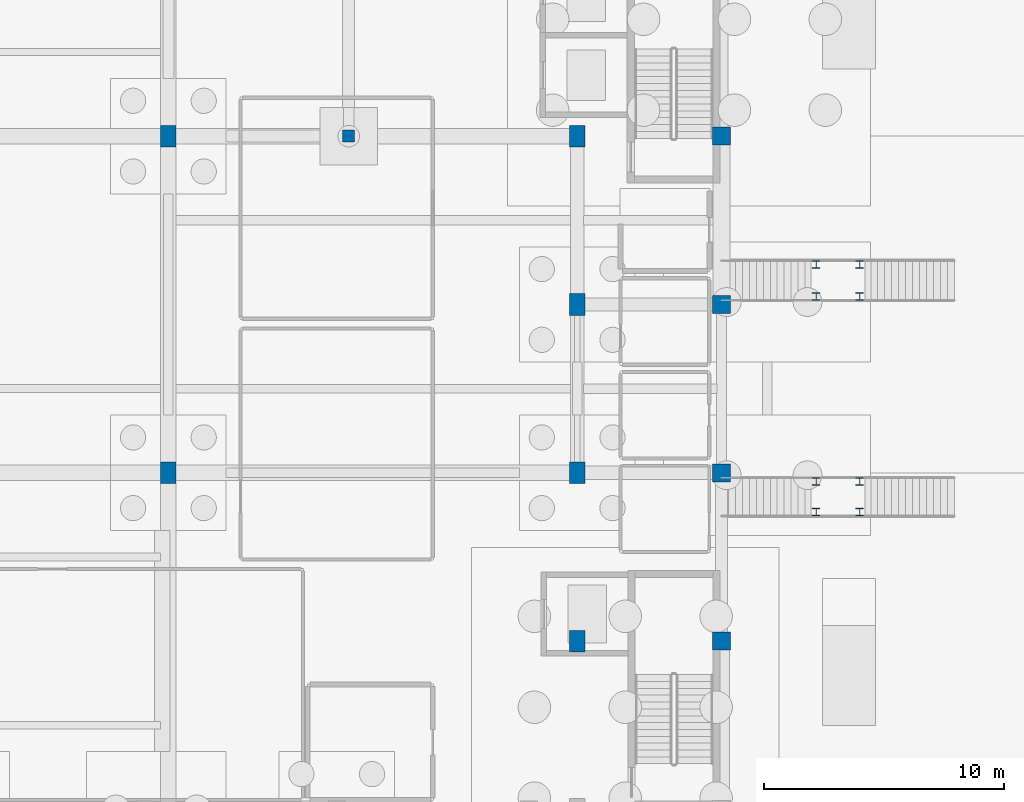
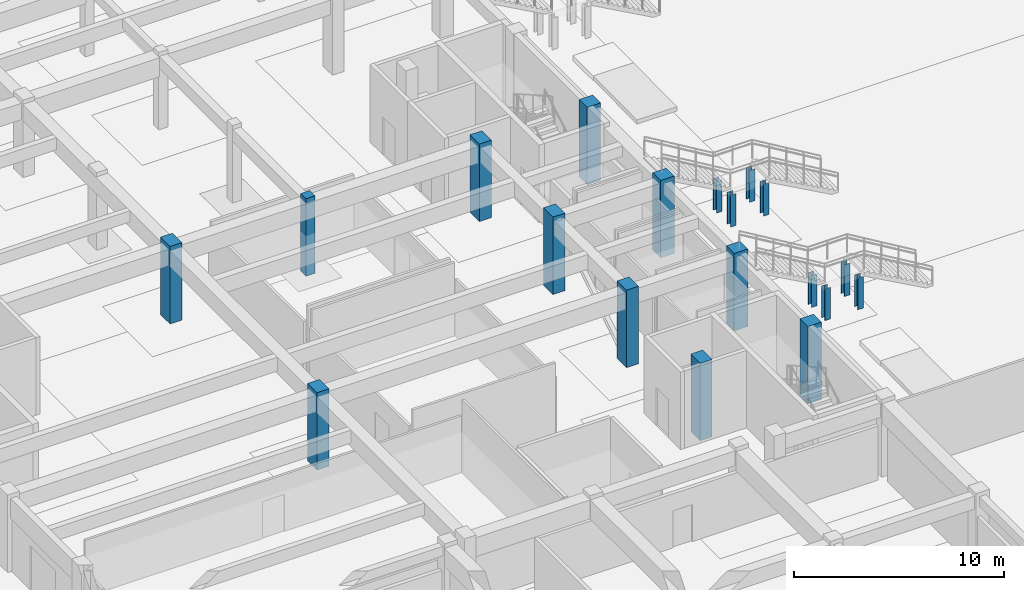
# One storey, part 16 of 84: 19 columns.
"""IFC4 building model written with IfcOpenShell, lengths in metres."""

import ifcopenshell
import ifcopenshell.guid

model = None  # the IFC model being written
_history = None  # IfcOwnerHistory: only IFC2X3 demands one
_inside = {}  # id of a spatial element -> (the spatial element, [elements in it])
_under = {}  # id of a project, library or spatial element -> (it, [spatial elements below it])
_declared = {}  # id of a project -> (the project, [libraries it declares])
_typed = {}  # id of a type object -> (the type object, [elements of that type])
_made_of = {}  # id of a material, layer set ... -> (it, [elements and type objects made of it])


def new_model(schema):
    """Start an empty IFC model of exactly this schema.

    Asked for "IFC4X3", IfcOpenShell would pick the latest addendum, in which some entities
    have other attributes; the version numbers below select the first issue.
    IFC2X3 requires an IfcOwnerHistory on every rooted entity: one is made here for all.
    """
    global model, _history
    if schema == "IFC4X3":
        model = ifcopenshell.file(schema_version=(4, 3, 0, 0))
    else:
        model = ifcopenshell.file(schema=schema)
    _inside.clear()
    _under.clear()
    _declared.clear()
    _typed.clear()
    _made_of.clear()
    _history = None
    if model.schema == "IFC2X3":
        org = make("IfcOrganization", Name="unknown")
        user = make(
            "IfcPersonAndOrganization",
            ThePerson=make("IfcPerson", FamilyName="unknown"),
            TheOrganization=org,
        )
        app = make(
            "IfcApplication",
            ApplicationDeveloper=org,
            Version="unknown",
            ApplicationFullName="unknown",
            ApplicationIdentifier="unknown",
        )
        _history = make(
            "IfcOwnerHistory",
            OwningUser=user,
            OwningApplication=app,
            ChangeAction="ADDED",
            CreationDate=0,
        )
    return model


def make(cls, **values):
    """One entity of the class cls with the attributes given. An attribute that is None is left unset."""
    return model.create_entity(
        cls, **{name: value for name, value in values.items() if value is not None}
    )


def rooted(cls, **values):
    """An entity with a GlobalId (a new one), such as an element, a storey or a relation."""
    return make(cls, GlobalId=ifcopenshell.guid.new(), OwnerHistory=_history, **values)


def si_unit(unit_type, name, prefix=None):
    """IfcSIUnit, for example si_unit("LENGTHUNIT", "METRE", prefix="MILLI")."""
    return make("IfcSIUnit", UnitType=unit_type, Prefix=prefix, Name=name)


def assignment(units):
    """IfcUnitAssignment: the units of a project."""
    return None if units is None else make("IfcUnitAssignment", Units=units)


def point(xyz):
    """IfcCartesianPoint."""
    return None if xyz is None else make("IfcCartesianPoint", Coordinates=xyz)


def direction(xyz):
    """IfcDirection."""
    return None if xyz is None else make("IfcDirection", DirectionRatios=xyz)


def frame(location, z_axis=None, x_axis=None):
    """IfcAxis2Placement3D, a coordinate frame: its origin and axes. An axis left out is left unset."""
    return make(
        "IfcAxis2Placement3D",
        Location=point(location),
        Axis=direction(z_axis),
        RefDirection=direction(x_axis),
    )


def frame_2d(location, x_axis=None):
    """IfcAxis2Placement2D, a coordinate frame in the plane: its origin and x axis."""
    return make(
        "IfcAxis2Placement2D", Location=point(location), RefDirection=direction(x_axis)
    )


def origin():
    """The frame at (0, 0, 0) with its axes left unset."""
    return frame((0.0, 0.0, 0.0))


def origin_2d():
    """The frame at (0, 0) in the plane with its x axis left unset."""
    return frame_2d((0.0, 0.0))


def place(relative_to, where):
    """IfcLocalPlacement: puts the frame where relative to a parent placement (None: the world)."""
    return make(
        "IfcLocalPlacement", PlacementRelTo=relative_to, RelativePlacement=where
    )


def context(
    kind, dimensions, precision=None, world=None, true_north=None, identifier=None
):
    """IfcGeometricRepresentationContext, for example the 3D "Model" context."""
    return make(
        "IfcGeometricRepresentationContext",
        ContextIdentifier=identifier,
        ContextType=kind,
        CoordinateSpaceDimension=dimensions,
        Precision=precision,
        WorldCoordinateSystem=world,
        TrueNorth=true_north,
    )


def subcontext(parent, identifier, kind, view, scale=None):
    """IfcGeometricRepresentationSubContext, for example "Body" below "Model"."""
    return make(
        "IfcGeometricRepresentationSubContext",
        ContextIdentifier=identifier,
        ContextType=kind,
        ParentContext=parent,
        TargetScale=scale,
        TargetView=view,
    )


def project(units=None, contexts=None):
    """IfcProject with its units and contexts."""
    return rooted(
        "IfcProject",
        Name="project",
        RepresentationContexts=contexts,
        UnitsInContext=assignment(units),
    )


def spatial(cls, under=None, at=None, **own):
    """A site, building, storey or space (cls), placed at a placement, below another one or the project."""
    s = rooted(cls, ObjectPlacement=at, **own)
    if under is not None:
        _under.setdefault(under.id(), (under, []))[1].append(s)
    return s


def profile(cls, at=None, kind="AREA", **sizes):
    """A parametric profile (cls). Its sizes go by their IFC names, for example OverallWidth=200.0."""
    return make(cls, ProfileType=kind, Position=at, **sizes)


def rectangle(**sizes):
    """IfcRectangleProfileDef."""
    return profile("IfcRectangleProfileDef", **sizes)


def i_section(**sizes):
    """IfcIShapeProfileDef."""
    return profile("IfcIShapeProfileDef", **sizes)


def extrude(swept, where, along, depth):
    """IfcExtrudedAreaSolid: the profile swept, set in the frame where, extruded along a direction by depth."""
    return make(
        "IfcExtrudedAreaSolid",
        SweptArea=swept,
        Position=where,
        ExtrudedDirection=direction(along),
        Depth=depth,
    )


def shape(context_of_items, identifier, shape_type, items):
    """IfcShapeRepresentation: the items that make up one representation, for example the "Body"."""
    return make(
        "IfcShapeRepresentation",
        ContextOfItems=context_of_items,
        RepresentationIdentifier=identifier,
        RepresentationType=shape_type,
        Items=items,
    )


def material(Name=None, Category=None):
    """IfcMaterial."""
    return make("IfcMaterial", Name=Name, Category=Category)


def material_profile(
    of_material, cross_section, Name=None, Category=None, Priority=None
):
    """IfcMaterialProfile: a cross section and its material."""
    return make(
        "IfcMaterialProfile",
        Name=Name,
        Material=of_material,
        Profile=cross_section,
        Priority=Priority,
        Category=Category,
    )


def profile_set(profiles, Name=None, composite=None):
    """IfcMaterialProfileSet."""
    return make(
        "IfcMaterialProfileSet",
        Name=Name,
        MaterialProfiles=profiles,
        CompositeProfile=composite,
    )


def made_of(thing, what):
    """Note that an element or type object is made of a material, layer set ...; save() writes the relation."""
    if what is not None:
        _made_of.setdefault(what.id(), (what, []))[1].append(thing)
    return thing


def type_object(cls, material=None, **own):
    """A type object (cls), such as IfcWallType, which elements share."""
    return made_of(rooted(cls, **own), material)


def element(
    cls,
    number,
    at=None,
    inside=None,
    cuts=None,
    type_object=None,
    material=None,
    context=None,
    identifier="Body",
    shape_type=None,
    held_by="IfcProductDefinitionShape",
    body=None,
    shapes=None,
    **own,
):
    """One element of the class cls, such as IfcWall. Its Tag is "e" and its number.

    at: its placement. inside: the storey or other place that contains it. cuts: it is an
    opening in that element (IfcRelVoidsElement). A single representation is given by context,
    identifier, shape_type and body (its items); several are given by shapes. held_by: the class
    of the entity that holds the representations. save() writes the other relations.
    """
    e = rooted(cls, Tag="e%d" % number, ObjectPlacement=at, **own)
    if body is not None:
        shapes = [shape(context, identifier, shape_type, body)]
    if shapes is not None:
        e.Representation = make(held_by, Representations=shapes)
    if inside is not None:
        _inside.setdefault(inside.id(), (inside, []))[1].append(e)
    if cuts is not None:
        rooted(
            "IfcRelVoidsElement", RelatingBuildingElement=cuts, RelatedOpeningElement=e
        )
    if type_object is not None:
        _typed.setdefault(type_object.id(), (type_object, []))[1].append(e)
    return made_of(e, material)


def aggregate(whole, parts):
    """IfcRelAggregates: a whole, such as a stair, and the parts it consists of."""
    return rooted("IfcRelAggregates", RelatingObject=whole, RelatedObjects=parts)


def save(model, path):
    """Write the relations noted so far, then the file.

    IfcRelAggregates (storeys below a building ...), IfcRelContainedInSpatialStructure (elements
    in a storey), IfcRelDefinesByType, IfcRelAssociatesMaterial and IfcRelDeclares: one each for
    every whole, place, type object, material and project.
    """
    for whole, parts in _under.values():
        aggregate(whole, parts)
    for where, things in _inside.values():
        rooted(
            "IfcRelContainedInSpatialStructure",
            RelatedElements=things,
            RelatingStructure=where,
        )
    for kind, things in _typed.values():
        rooted("IfcRelDefinesByType", RelatedObjects=things, RelatingType=kind)
    for what, things in _made_of.values():
        rooted("IfcRelAssociatesMaterial", RelatedObjects=things, RelatingMaterial=what)
    for by, libraries in _declared.values():
        rooted("IfcRelDeclares", RelatingContext=by, RelatedDefinitions=libraries)
    model.write(path)


model = new_model("IFC4")

# Units and contexts
model_context = context("Model", 3, precision=1e-05, world=origin(), true_north=direction((0.0, 1.0)))
body_context = subcontext(model_context, "Body", "Model", "MODEL_VIEW")
ifc_project = project(units=[si_unit("LENGTHUNIT", "METRE"), si_unit("AREAUNIT", "SQUARE_METRE"), si_unit("VOLUMEUNIT", "CUBIC_METRE"), si_unit("PLANEANGLEUNIT", "RADIAN"), si_unit("MASSUNIT", "GRAM", prefix="KILO")], contexts=[model_context])

# Site, building, storey
site_placement = place(None, origin())
site = spatial("IfcSite", under=ifc_project, at=site_placement, CompositionType="ELEMENT")
building_placement = place(site_placement, origin())
building = spatial("IfcBuilding", under=site, at=building_placement, Name="Larkveld Mobility Hub", CompositionType="ELEMENT")
storey_placement = place(building_placement, origin())
storey = spatial("IfcBuildingStorey", under=building, at=storey_placement, Name="L00", CompositionType="ELEMENT", Elevation=0.0)

# Columns
ifc_material_1 = material(Name="Precast concrete C50/60", Category="concrete")
ifc_material_profile_1 = material_profile(ifc_material_1, rectangle(XDim=0.64990234375, YDim=0.89990234375, at=origin_2d()), Name="RC COL 650x900")
ifc_profile_set_1 = profile_set([ifc_material_profile_1], Name="Precast concrete C50/60")
column_type_1 = type_object("IfcColumnType", Name="CL-PC6590", PredefinedType="COLUMN", material=ifc_profile_set_1)
for number, where, z_axis, x_axis, name in (
    (1, (129.0, 42.0, 0.0), (0.0, 0.0, 1.0), (1.0, 0.0, 0.0), "Column EV-X129-Y42 (L00)"),
    (2, (129.0, 56.0, 0.0), (0.0, 0.0, 1.0), (1.0, 0.0, 0.0), "Column EV-X129-Y56 (L00)"),
    (3, (146.0, 35.0, 0.0), (0.0, 0.0, 1.0), (1.0, 0.0, 0.0), "Column EV-X146-Y35 (L00)"),
    (4, (146.0, 42.0, 0.0), (0.0, 0.0, 1.0), (1.0, 0.0, 0.0), "Column EV-X146-Y42 (L00)"),
    (5, (146.0, 49.0, 0.0), (0.0, 0.0, 1.0), (1.0, 0.0, 0.0), "Column EV-X146-Y49 (L00)"),
    (6, (146.0, 56.0, 0.0), (0.0, 0.0, 1.0), (1.0, 0.0, 0.0), "Column EV-X146-Y56 (L00)"),
):
    element("IfcColumn", number, at=place(storey_placement, frame(where, z_axis=z_axis, x_axis=x_axis)), inside=storey, type_object=column_type_1, Name=name, PredefinedType="COLUMN", context=body_context, shape_type="SweptSolid", body=[
        extrude(rectangle(XDim=0.64990234375, YDim=0.89990234375, at=origin_2d()), origin(), (0.0, 0.0, 1.0), 4.5),
    ])
ifc_material_2 = material(Name="Concrete C40/50", Category="concrete")
ifc_material_profile_2 = material_profile(ifc_material_2, rectangle(XDim=0.5, YDim=0.5, at=origin_2d()), Name="RC COL 500x500")
ifc_profile_set_2 = profile_set([ifc_material_profile_2], Name="Concrete C40/50")
column_type_2 = type_object("IfcColumnType", Name="CL-RC500", PredefinedType="COLUMN", material=ifc_profile_set_2)
column_placement = place(storey_placement, frame((136.5, 56.0, 0.0), z_axis=(0.0, 0.0, 1.0), x_axis=(1.0, 0.0, 0.0)))
element("IfcColumn", 7, at=column_placement, inside=storey, type_object=column_type_2, Name="Column EVR-X1365-Y56 (L00)", PredefinedType="COLUMN", context=body_context, shape_type="SweptSolid", body=[
    extrude(rectangle(XDim=0.5, YDim=0.5, at=origin_2d()), origin(), (0.0, 0.0, 1.0), 4.5),
])
ifc_material_profile_3 = material_profile(ifc_material_2, rectangle(XDim=0.75, YDim=0.75, at=origin_2d()), Name="RC COL 750x750")
ifc_profile_set_3 = profile_set([ifc_material_profile_3], Name="Concrete C40/50")
column_type_3 = type_object("IfcColumnType", Name="CL-RC750", PredefinedType="COLUMN", material=ifc_profile_set_3)
for number, where, z_axis, x_axis, name in (
    (8, (152.0, 35.0, 0.0), (0.0, 0.0, 1.0), (1.0, 0.0, 0.0), "Column EV-X152-Y35 (L00)"),
    (9, (152.0, 42.0, 0.0), (0.0, 0.0, 1.0), (1.0, 0.0, 0.0), "Column EV-X152-Y42 (L00)"),
    (10, (152.0, 49.0, 0.0), (0.0, 0.0, 1.0), (1.0, 0.0, 0.0), "Column EV-X152-Y49 (L00)"),
    (11, (152.0, 56.0, 0.0), (0.0, 0.0, 1.0), (1.0, 0.0, 0.0), "Column EV-X152-Y56 (L00)"),
):
    element("IfcColumn", number, at=place(storey_placement, frame(where, z_axis=z_axis, x_axis=x_axis)), inside=storey, type_object=column_type_3, Name=name, PredefinedType="COLUMN", context=body_context, shape_type="SweptSolid", body=[
        extrude(rectangle(XDim=0.75, YDim=0.75, at=origin_2d()), origin(), (0.0, 0.0, 1.0), 4.5),
    ])
ifc_material_3 = material(Name="Steel S355JR", Category="steel")
ifc_material_profile_4 = material_profile(ifc_material_3, i_section(OverallWidth=0.30908203125, OverallDepth=0.320556640625, WebThickness=0.013916015625, FlangeThickness=0.021728515625, FilletRadius=0.01513671875, at=origin_2d()), Name="UC 305x305x137")
ifc_profile_set_4 = profile_set([ifc_material_profile_4], Name="Steel S355JR")
column_type_4 = type_object("IfcColumnType", Name="CL-STUC305", PredefinedType="COLUMN", material=ifc_profile_set_4)
for number, where, z_axis, x_axis, name in (
    (12, (157.75, 41.635009765625, 0.0), (0.0, 0.0, 1.0), (1.0, 0.0, 0.0), "South Concourse Mezzanine Straight Stair FS1 Mid-Landing Support Post 1"),
    (13, (155.93994140625, 41.635009765625, 0.0), (0.0, 0.0, 1.0), (1.0, 0.0, 0.0), "South Concourse Mezzanine Straight Stair FS1 Mid-Landing Support Post 2"),
    (14, (155.93994140625, 40.364990234375, 0.0), (0.0, 0.0, 1.0), (1.0, 0.0, 0.0), "South Concourse Mezzanine Straight Stair FS1 Mid-Landing Support Post 3"),
    (15, (157.75, 40.364990234375, 0.0), (0.0, 0.0, 1.0), (1.0, 0.0, 0.0), "South Concourse Mezzanine Straight Stair FS1 Mid-Landing Support Post 4"),
    (16, (157.75, 50.6650390625, 0.0), (0.0, 0.0, 1.0), (1.0, 0.0, 0.0), "Ticketing Concourse Straight Stair FS2 Mid-Landing Support Post 1"),
    (17, (155.93994140625, 50.6650390625, 0.0), (0.0, 0.0, 1.0), (1.0, 0.0, 0.0), "Ticketing Concourse Straight Stair FS2 Mid-Landing Support Post 2"),
    (18, (155.93994140625, 49.3349609375, 0.0), (0.0, 0.0, 1.0), (1.0, 0.0, 0.0), "Ticketing Concourse Straight Stair FS2 Mid-Landing Support Post 3"),
    (19, (157.75, 49.3349609375, 0.0), (0.0, 0.0, 1.0), (1.0, 0.0, 0.0), "Ticketing Concourse Straight Stair FS2 Mid-Landing Support Post 4"),
):
    element("IfcColumn", number, at=place(storey_placement, frame(where, z_axis=z_axis, x_axis=x_axis)), inside=storey, type_object=column_type_4, Name=name, PredefinedType="COLUMN", context=body_context, shape_type="SweptSolid", body=[
        extrude(i_section(OverallWidth=0.30908203125, OverallDepth=0.320556640625, WebThickness=0.013916015625, FlangeThickness=0.021728515625, FilletRadius=0.01513671875, at=origin_2d()), origin(), (0.0, 0.0, 1.0), 1.8349609375),
    ])

save(model, "model.ifc")
